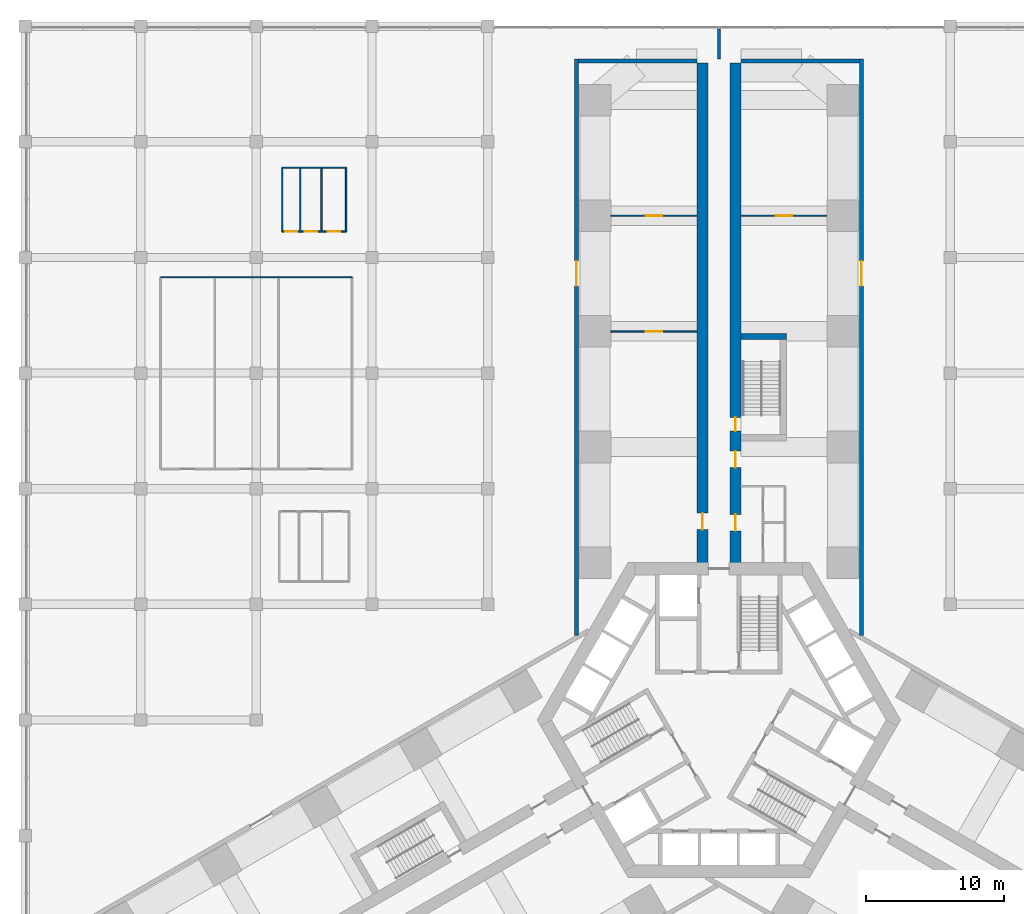
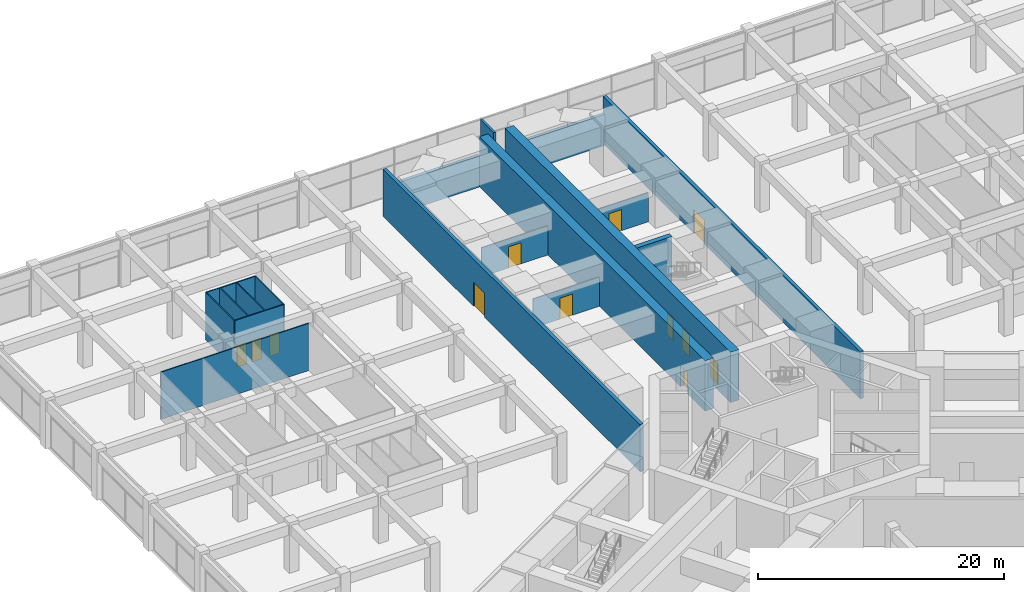
# One storey, part 32 of 36: 18 walls, 12 doors, 12 openings.
"""IFC4 building model written with IfcOpenShell, lengths in metres."""

from ifc_helpers import new_model, si_unit, direction, frame, frame_2d, origin, place, context, subcontext, project, spatial, rectangle, extrude, material, layer, layer_set, type_object, element, fill, save


model = new_model("IFC4")

# Units and contexts
model_context = context("Model", 3, precision=1e-05, world=origin(), true_north=direction((0.0, 1.0)))
body_context = subcontext(model_context, "Body", "Model", "MODEL_VIEW")
ifc_project = project(units=[si_unit("LENGTHUNIT", "METRE"), si_unit("AREAUNIT", "SQUARE_METRE"), si_unit("VOLUMEUNIT", "CUBIC_METRE"), si_unit("PLANEANGLEUNIT", "RADIAN"), si_unit("MASSUNIT", "GRAM", prefix="KILO")], contexts=[model_context])

# Site, building, storey
site_placement = place(None, origin())
site = spatial("IfcSite", under=ifc_project, at=site_placement, CompositionType="ELEMENT")
building_placement = place(site_placement, origin())
building = spatial("IfcBuilding", under=site, at=building_placement, Name="Impinga Residences", CompositionType="ELEMENT")
storey_placement = place(building_placement, frame((0.0, 0.0, 6.0)))
storey = spatial("IfcBuildingStorey", under=building, at=storey_placement, Name="L01", CompositionType="ELEMENT", Elevation=6.0)

# Wall, opening, door
ifc_material_1 = material(Name="Concrete C70/85", Category="concrete")
ifc_layer_1 = layer(ifc_material_1, 0.800048828125)
ifc_layer_set_1 = layer_set([ifc_layer_1], Name="Concrete C70/85")
wall_type_1 = type_object("IfcWallType", Name="BW0 corridor buttress wall, B3 to L04 800", PredefinedType="SHEAR", material=ifc_layer_set_1)
wall_1_placement = place(storey_placement, frame((-1.199951171875, 10.9814453125, 0.0), z_axis=(0.0, 0.0, 1.0), x_axis=(0.0, 1.0, 0.0)))
wall_1 = element("IfcWall", 1, at=wall_1_placement, inside=storey, type_object=wall_type_1, Name="Corridor wall BW0 NC L01", PredefinedType="SHEAR", context=body_context, shape_type="SweptSolid", body=[
    extrude(rectangle(XDim=36.75, YDim=0.800048828125, at=frame_2d((18.375, 0.0))), origin(), (0.0, 0.0, 1.0), 5.0),
])
opening_1_placement = place(wall_1_placement, frame((2.85009765625, 0.0, 0.0)))
opening_1 = element("IfcOpeningElement", 2, at=opening_1_placement, cuts=wall_1, Name="Opening D3", PredefinedType="OPENING", context=body_context, shape_type="SweptSolid", body=[
    extrude(rectangle(XDim=1.199951171875, YDim=2.10009765625, at=frame_2d((0.60009765625, 1.050048828125))), frame((0.0, 0.409912109375, 0.0), z_axis=(0.0, -1.0, 0.0), x_axis=(1.0, 0.0, 0.0)), (0.0, 0.0, 1.0), 0.820068359375),
])
ifc_material_2 = material(Name="Timber door set", Category="wood")
door_type_1 = type_object("IfcDoorType", Name="D3 room door, leaf and a half 1200x2100", OperationType="DOUBLE_SWING_LEFT", PredefinedType="DOOR", material=ifc_material_2)
door_1_placement = place(opening_1_placement, origin())
door_1 = element("IfcDoor", 3, at=door_1_placement, inside=storey, type_object=door_type_1, Name="Business centre door L01-NA1", OperationType="DOUBLE_SWING_LEFT", OverallHeight=2.10009765625, OverallWidth=1.199951171875, PredefinedType="DOOR", context=body_context, shape_type="SweptSolid", body=[
    extrude(rectangle(XDim=1.199951171875, YDim=2.10009765625, at=frame_2d((0.60009765625, 1.050048828125))), frame((0.0, 0.02490234375, 0.0), z_axis=(0.0, -1.0, 0.0), x_axis=(1.0, 0.0, 0.0)), (0.0, 0.0, 1.0), 0.050048828125),
])
fill(opening_1, door_1)

# Wall, openings, doors
wall_2_placement = place(storey_placement, frame((1.199951171875, 10.9814453125, 0.0), z_axis=(0.0, 0.0, 1.0), x_axis=(0.0, 1.0, 0.0)))
wall_2 = element("IfcWall", 4, at=wall_2_placement, inside=storey, type_object=wall_type_1, Name="Corridor wall BW0 ND L01", PredefinedType="SHEAR", context=body_context, shape_type="SweptSolid", body=[
    extrude(rectangle(XDim=36.75, YDim=0.800048828125, at=frame_2d((18.375, 0.0))), origin(), (0.0, 0.0, 1.0), 5.0),
])
opening_2_placement = place(wall_2_placement, frame((10.0, 0.0, 0.0)))
opening_2 = element("IfcOpeningElement", 5, at=opening_2_placement, cuts=wall_2, Name="Opening D5", PredefinedType="OPENING", context=body_context, shape_type="SweptSolid", body=[
    extrude(rectangle(XDim=1.0, YDim=2.10009765625, at=frame_2d((0.5, 1.050048828125))), frame((0.0, 0.409912109375, 0.0), z_axis=(0.0, -1.0, 0.0), x_axis=(1.0, 0.0, 0.0)), (0.0, 0.0, 1.0), 0.820068359375),
])
opening_3_placement = place(wall_2_placement, frame((2.75, 0.0, 0.0)))
opening_3 = element("IfcOpeningElement", 6, at=opening_3_placement, cuts=wall_2, Name="Opening D3", PredefinedType="OPENING", context=body_context, shape_type="SweptSolid", body=[
    extrude(rectangle(XDim=1.199951171875, YDim=2.10009765625, at=frame_2d((0.60009765625, 1.050048828125))), frame((0.0, 0.409912109375, 0.0), z_axis=(0.0, -1.0, 0.0), x_axis=(1.0, 0.0, 0.0)), (0.0, 0.0, 1.0), 0.820068359375),
])
opening_4_placement = place(wall_2_placement, frame((7.35009765625, 0.0, 0.0)))
opening_4 = element("IfcOpeningElement", 7, at=opening_4_placement, cuts=wall_2, Name="Opening D3", PredefinedType="OPENING", context=body_context, shape_type="SweptSolid", body=[
    extrude(rectangle(XDim=1.199951171875, YDim=2.10009765625, at=frame_2d((0.60009765625, 1.050048828125))), frame((0.0, 0.409912109375, 0.0), z_axis=(0.0, -1.0, 0.0), x_axis=(1.0, 0.0, 0.0)), (0.0, 0.0, 1.0), 0.820068359375),
])
door_2_placement = place(opening_3_placement, origin())
door_2 = element("IfcDoor", 8, at=door_2_placement, inside=storey, type_object=door_type_1, Name="WC lobby door L01-NF1", OperationType="DOUBLE_SWING_LEFT", OverallHeight=2.10009765625, OverallWidth=1.199951171875, PredefinedType="DOOR", context=body_context, shape_type="SweptSolid", body=[
    extrude(rectangle(XDim=1.199951171875, YDim=2.10009765625, at=frame_2d((0.60009765625, 1.050048828125))), frame((0.0, 0.02490234375, 0.0), z_axis=(0.0, -1.0, 0.0), x_axis=(1.0, 0.0, 0.0)), (0.0, 0.0, 1.0), 0.050048828125),
])
fill(opening_3, door_2)
door_3_placement = place(opening_4_placement, origin())
door_3 = element("IfcDoor", 9, at=door_3_placement, inside=storey, type_object=door_type_1, Name="Studio door L01-NF1", OperationType="DOUBLE_SWING_LEFT", OverallHeight=2.10009765625, OverallWidth=1.199951171875, PredefinedType="DOOR", context=body_context, shape_type="SweptSolid", body=[
    extrude(rectangle(XDim=1.199951171875, YDim=2.10009765625, at=frame_2d((0.60009765625, 1.050048828125))), frame((0.0, 0.02490234375, 0.0), z_axis=(0.0, -1.0, 0.0), x_axis=(1.0, 0.0, 0.0)), (0.0, 0.0, 1.0), 0.050048828125),
])
fill(opening_4, door_3)
door_type_2 = type_object("IfcDoorType", Name="D5 stair door 1000x2100", OperationType="SINGLE_SWING_LEFT", PredefinedType="DOOR", material=ifc_material_2)
door_4_placement = place(opening_2_placement, origin())
door_4 = element("IfcDoor", 10, at=door_4_placement, inside=storey, type_object=door_type_2, Name="Wing stair door N", OperationType="SINGLE_SWING_LEFT", OverallHeight=2.10009765625, OverallWidth=1.0, PredefinedType="DOOR", context=body_context, shape_type="SweptSolid", body=[
    extrude(rectangle(XDim=1.0, YDim=2.10009765625, at=frame_2d((0.5, 1.050048828125))), frame((0.0, 0.02490234375, 0.0), z_axis=(0.0, -1.0, 0.0), x_axis=(1.0, 0.0, 0.0)), (0.0, 0.0, 1.0), 0.050048828125),
])
fill(opening_2, door_4)

# Wall, opening, door
ifc_material_3 = material(Name="Concrete blockwork", Category="masonry")
ifc_layer_2 = layer(ifc_material_3, 0.10009765625)
ifc_layer_set_2 = layer_set([ifc_layer_2], Name="CP1 core room partition, blockwork 100")
wall_type_2 = type_object("IfcWallType", Name="CP1 core room partition, blockwork 100", PredefinedType="PARTITIONING", material=ifc_layer_set_2)
wall_3_placement = place(storey_placement, frame((-1.60009765625, 28.2314453125, 0.0), z_axis=(0.0, 0.0, 1.0), x_axis=(-1.0, 0.0, 0.0)))
wall_3 = element("IfcWall", 11, at=wall_3_placement, inside=storey, type_object=wall_type_2, Name="Core room partition, blockwork L01-NA1:PS1", PredefinedType="PARTITIONING", context=body_context, shape_type="SweptSolid", body=[
    extrude(rectangle(XDim=6.25, YDim=0.10009765625, at=frame_2d((3.125, 0.0))), origin(), (0.0, 0.0, 1.0), 2.89990234375),
])
opening_5_placement = place(wall_3_placement, frame((2.52490234375, 0.0, 0.0)))
opening_5 = element("IfcOpeningElement", 12, at=opening_5_placement, cuts=wall_3, Name="Opening D3", PredefinedType="OPENING", context=body_context, shape_type="SweptSolid", body=[
    extrude(rectangle(XDim=1.199951171875, YDim=2.10009765625, at=frame_2d((0.60009765625, 1.050048828125))), frame((0.0, 0.06005859375, 0.0), z_axis=(0.0, -1.0, 0.0), x_axis=(1.0, 0.0, 0.0)), (0.0, 0.0, 1.0), 0.1201171875),
])
door_5_placement = place(opening_5_placement, origin())
door_5 = element("IfcDoor", 13, at=door_5_placement, inside=storey, type_object=door_type_1, Name="Meeting room door L01-NA1", OperationType="DOUBLE_SWING_LEFT", OverallHeight=2.10009765625, OverallWidth=1.199951171875, PredefinedType="DOOR", context=body_context, shape_type="SweptSolid", body=[
    extrude(rectangle(XDim=1.199951171875, YDim=2.10009765625, at=frame_2d((0.60009765625, 1.050048828125))), frame((0.0, 0.02490234375, 0.0), z_axis=(0.0, -1.0, 0.0), x_axis=(1.0, 0.0, 0.0)), (0.0, 0.0, 1.0), 0.050048828125),
])
fill(opening_5, door_5)

wall_4_placement = place(storey_placement, frame((-1.60009765625, 36.631591796875, 0.0), z_axis=(0.0, 0.0, 1.0), x_axis=(-1.0, 0.0, 0.0)))
wall_4 = element("IfcWall", 14, at=wall_4_placement, inside=storey, type_object=wall_type_2, Name="Core room partition, blockwork L01-NA1:PS2", PredefinedType="PARTITIONING", context=body_context, shape_type="SweptSolid", body=[
    extrude(rectangle(XDim=6.25, YDim=0.10009765625, at=frame_2d((3.125, 0.0))), origin(), (0.0, 0.0, 1.0), 2.89990234375),
])
opening_6_placement = place(wall_4_placement, frame((2.52490234375, 0.0, 0.0)))
opening_6 = element("IfcOpeningElement", 15, at=opening_6_placement, cuts=wall_4, Name="Opening D3", PredefinedType="OPENING", context=body_context, shape_type="SweptSolid", body=[
    extrude(rectangle(XDim=1.199951171875, YDim=2.10009765625, at=frame_2d((0.60009765625, 1.050048828125))), frame((0.0, 0.06005859375, 0.0), z_axis=(0.0, -1.0, 0.0), x_axis=(1.0, 0.0, 0.0)), (0.0, 0.0, 1.0), 0.1201171875),
])
door_6_placement = place(opening_6_placement, origin())
door_6 = element("IfcDoor", 16, at=door_6_placement, inside=storey, type_object=door_type_1, Name="Print room door L01-NA1", OperationType="DOUBLE_SWING_LEFT", OverallHeight=2.10009765625, OverallWidth=1.199951171875, PredefinedType="DOOR", context=body_context, shape_type="SweptSolid", body=[
    extrude(rectangle(XDim=1.199951171875, YDim=2.10009765625, at=frame_2d((0.60009765625, 1.050048828125))), frame((0.0, 0.02490234375, 0.0), z_axis=(0.0, -1.0, 0.0), x_axis=(1.0, 0.0, 0.0)), (0.0, 0.0, 1.0), 0.050048828125),
])
fill(opening_6, door_6)

wall_5_placement = place(storey_placement, frame((1.60009765625, 36.631591796875, 0.0), z_axis=(0.0, 0.0, 1.0), x_axis=(1.0, 0.0, 0.0)))
wall_5 = element("IfcWall", 17, at=wall_5_placement, inside=storey, type_object=wall_type_2, Name="Core room partition, blockwork L01-NF1:PS1", PredefinedType="PARTITIONING", context=body_context, shape_type="SweptSolid", body=[
    extrude(rectangle(XDim=6.25, YDim=0.10009765625, at=frame_2d((3.125, 0.0))), origin(), (0.0, 0.0, 1.0), 2.89990234375),
])
opening_7_placement = place(wall_5_placement, frame((2.52490234375, 0.0, 0.0)))
opening_7 = element("IfcOpeningElement", 18, at=opening_7_placement, cuts=wall_5, Name="Opening D3", PredefinedType="OPENING", context=body_context, shape_type="SweptSolid", body=[
    extrude(rectangle(XDim=1.199951171875, YDim=2.10009765625, at=frame_2d((0.60009765625, 1.050048828125))), frame((0.0, 0.06005859375, 0.0), z_axis=(0.0, -1.0, 0.0), x_axis=(1.0, 0.0, 0.0)), (0.0, 0.0, 1.0), 0.1201171875),
])
door_7_placement = place(opening_7_placement, origin())
door_7 = element("IfcDoor", 19, at=door_7_placement, inside=storey, type_object=door_type_1, Name="Meeting room door L01-NF1", OperationType="DOUBLE_SWING_LEFT", OverallHeight=2.10009765625, OverallWidth=1.199951171875, PredefinedType="DOOR", context=body_context, shape_type="SweptSolid", body=[
    extrude(rectangle(XDim=1.199951171875, YDim=2.10009765625, at=frame_2d((0.60009765625, 1.050048828125))), frame((0.0, 0.02490234375, 0.0), z_axis=(0.0, -1.0, 0.0), x_axis=(1.0, 0.0, 0.0)), (0.0, 0.0, 1.0), 0.050048828125),
])
fill(opening_7, door_7)

# Wall
ifc_material_4 = material(Name="Gypsum board on steel studs", Category="steel")
ifc_layer_3 = layer(ifc_material_4, 0.10009765625)
ifc_layer_set_3 = layer_set([ifc_layer_3], Name="Gypsum board on steel studs")
wall_type_3 = type_object("IfcWallType", Name="IP1 partition 100", PredefinedType="PARTITIONING", material=ifc_layer_set_3)
wall_6_placement = place(storey_placement, frame((-26.639892578125, 32.159912109375, 0.0), z_axis=(0.0, 0.0, 1.0), x_axis=(-1.0, 0.0, 0.0)))
element("IfcWall", 20, at=wall_6_placement, inside=storey, type_object=wall_type_3, Name="Partition L01:REG:NW:BLKN", PredefinedType="PARTITIONING", context=body_context, shape_type="SweptSolid", body=[
    extrude(rectangle(XDim=13.920166015625, YDim=0.10009765625, at=frame_2d((6.9599609375, 0.0))), origin(), (0.0, 0.0, 1.0), 4.699951171875),
])

# Wall, openings, doors
wall_7_placement = place(storey_placement, frame((-31.719970703125, 35.47998046875, 0.0), z_axis=(0.0, 0.0, 1.0), x_axis=(1.0, 0.0, 0.0)))
wall_7 = element("IfcWall", 21, at=wall_7_placement, inside=storey, type_object=wall_type_3, Name="Partition L01:REG:NW:B3:BLKS", PredefinedType="PARTITIONING", context=body_context, shape_type="SweptSolid", body=[
    extrude(rectangle(XDim=4.639892578125, YDim=0.10009765625, at=frame_2d((2.31982421875, 0.0))), origin(), (0.0, 0.0, 1.0), 4.699951171875),
])
opening_8_placement = place(wall_7_placement, frame((0.205322265625, 0.0, 0.0)))
opening_8 = element("IfcOpeningElement", 22, at=opening_8_placement, cuts=wall_7, Name="Opening D2", PredefinedType="OPENING", context=body_context, shape_type="SweptSolid", body=[
    extrude(rectangle(XDim=0.89990234375, YDim=2.10009765625, at=frame_2d((0.449951171875, 1.050048828125))), frame((0.0, 0.06005859375, 0.0), z_axis=(0.0, -1.0, 0.0), x_axis=(1.0, 0.0, 0.0)), (0.0, 0.0, 1.0), 0.1201171875),
])
opening_9_placement = place(wall_7_placement, frame((1.634033203125, 0.0, 0.0)))
opening_9 = element("IfcOpeningElement", 23, at=opening_9_placement, cuts=wall_7, Name="Opening D2", PredefinedType="OPENING", context=body_context, shape_type="SweptSolid", body=[
    extrude(rectangle(XDim=0.89990234375, YDim=2.10009765625, at=frame_2d((0.449951171875, 1.050048828125))), frame((0.0, 0.06005859375, 0.0), z_axis=(0.0, -1.0, 0.0), x_axis=(1.0, 0.0, 0.0)), (0.0, 0.0, 1.0), 0.1201171875),
])
opening_10_placement = place(wall_7_placement, frame((3.298583984375, 0.0, 0.0)))
opening_10 = element("IfcOpeningElement", 24, at=opening_10_placement, cuts=wall_7, Name="Opening D2", PredefinedType="OPENING", context=body_context, shape_type="SweptSolid", body=[
    extrude(rectangle(XDim=0.89990234375, YDim=2.10009765625, at=frame_2d((0.449951171875, 1.050048828125))), frame((0.0, 0.06005859375, 0.0), z_axis=(0.0, -1.0, 0.0), x_axis=(1.0, 0.0, 0.0)), (0.0, 0.0, 1.0), 0.1201171875),
])
door_type_3 = type_object("IfcDoorType", Name="D2 internal door 900x2100", OperationType="SINGLE_SWING_LEFT", PredefinedType="DOOR", material=ifc_material_2)
door_8_placement = place(opening_8_placement, origin())
door_8 = element("IfcDoor", 25, at=door_8_placement, inside=storey, type_object=door_type_3, Name="Children's WC door", OperationType="SINGLE_SWING_LEFT", OverallHeight=2.10009765625, OverallWidth=0.89990234375, PredefinedType="DOOR", context=body_context, shape_type="SweptSolid", body=[
    extrude(rectangle(XDim=0.89990234375, YDim=2.10009765625, at=frame_2d((0.449951171875, 1.050048828125))), frame((0.0, 0.02490234375, 0.0), z_axis=(0.0, -1.0, 0.0), x_axis=(1.0, 0.0, 0.0)), (0.0, 0.0, 1.0), 0.050048828125),
])
fill(opening_8, door_8)
door_9_placement = place(opening_9_placement, origin())
door_9 = element("IfcDoor", 26, at=door_9_placement, inside=storey, type_object=door_type_3, Name="Children's WC door", OperationType="SINGLE_SWING_LEFT", OverallHeight=2.10009765625, OverallWidth=0.89990234375, PredefinedType="DOOR", context=body_context, shape_type="SweptSolid", body=[
    extrude(rectangle(XDim=0.89990234375, YDim=2.10009765625, at=frame_2d((0.449951171875, 1.050048828125))), frame((0.0, 0.02490234375, 0.0), z_axis=(0.0, -1.0, 0.0), x_axis=(1.0, 0.0, 0.0)), (0.0, 0.0, 1.0), 0.050048828125),
])
fill(opening_9, door_9)
door_10_placement = place(opening_10_placement, origin())
door_10 = element("IfcDoor", 27, at=door_10_placement, inside=storey, type_object=door_type_3, Name="Accessible WC door", OperationType="SINGLE_SWING_RIGHT", OverallHeight=2.10009765625, OverallWidth=0.89990234375, PredefinedType="DOOR", context=body_context, shape_type="SweptSolid", body=[
    extrude(rectangle(XDim=0.89990234375, YDim=2.10009765625, at=frame_2d((0.449951171875, 1.050048828125))), frame((0.0, 0.02490234375, 0.0), z_axis=(0.0, -1.0, 0.0), x_axis=(1.0, 0.0, 0.0)), (0.0, 0.0, 1.0), 0.050048828125),
])
fill(opening_10, door_10)

# Walls
wall_8_placement = place(storey_placement, frame((-27.080078125, 35.47998046875, 0.0), z_axis=(0.0, 0.0, 1.0), x_axis=(0.0, 1.0, 0.0)))
element("IfcWall", 28, at=wall_8_placement, inside=storey, type_object=wall_type_3, Name="Partition L01:REG:NW:B3:BLKE", PredefinedType="PARTITIONING", context=body_context, shape_type="SweptSolid", body=[
    extrude(rectangle(XDim=4.64013671875, YDim=0.10009765625, at=frame_2d((2.320068359375, 0.0))), origin(), (0.0, 0.0, 1.0), 4.699951171875),
])
wall_9_placement = place(storey_placement, frame((-27.080078125, 40.1201171875, 0.0), z_axis=(0.0, 0.0, 1.0), x_axis=(-1.0, 0.0, 0.0)))
element("IfcWall", 29, at=wall_9_placement, inside=storey, type_object=wall_type_3, Name="Partition L01:REG:NW:B3:BLKN", PredefinedType="PARTITIONING", context=body_context, shape_type="SweptSolid", body=[
    extrude(rectangle(XDim=4.639892578125, YDim=0.10009765625, at=frame_2d((2.31982421875, 0.0))), origin(), (0.0, 0.0, 1.0), 4.699951171875),
])
for number, where, z_axis, x_axis, name in (
    (30, (-31.719970703125, 40.1201171875, 0.0), (0.0, 0.0, 1.0), (0.0, -1.0, 0.0), "Partition L01:REG:NW:B3:BLKW"),
    (31, (-30.4091796875, 35.47998046875, 0.0), (0.0, 0.0, 1.0), (0.0, 1.0, 0.0), "Partition L01:REG:NW:B3:BLKP1"),
    (32, (-28.862548828125, 35.47998046875, 0.0), (0.0, 0.0, 1.0), (0.0, 1.0, 0.0), "Partition L01:REG:NW:B3:BLKP2"),
):
    element("IfcWall", number, at=place(storey_placement, frame(where, z_axis=z_axis, x_axis=x_axis)), inside=storey, type_object=wall_type_3, Name=name, PredefinedType="PARTITIONING", context=body_context, shape_type="SweptSolid", body=[
        extrude(rectangle(XDim=4.64013671875, YDim=0.10009765625, at=frame_2d((2.320068359375, 0.0))), origin(), (0.0, 0.0, 1.0), 4.699951171875),
    ])
ifc_layer_4 = layer(ifc_material_3, 0.199951171875)
ifc_layer_set_4 = layer_set([ifc_layer_4], Name="PW2 podium compartment wall 200")
wall_type_4 = type_object("IfcWallType", Name="PW2 podium compartment wall 200", PredefinedType="SOLIDWALL", material=ifc_layer_set_4)
wall_10_placement = place(storey_placement, frame((0.0, 48.031494140625, 0.0), z_axis=(0.0, 0.0, 1.0), x_axis=(0.0, 1.0, 0.0)))
element("IfcWall", 33, at=wall_10_placement, inside=storey, type_object=wall_type_4, Name="Podium compartment wall L01:REG:N", PredefinedType="SOLIDWALL", context=body_context, shape_type="SweptSolid", body=[
    extrude(rectangle(XDim=2.175537109375, YDim=0.199951171875, at=frame_2d((1.087890625, 0.0))), origin(), (0.0, 0.0, 1.0), 4.699951171875),
])
ifc_layer_5 = layer(ifc_material_3, 0.300048828125)
ifc_layer_set_5 = layer_set([ifc_layer_5], Name="PW3 podium wall on the wing face 300")
wall_type_5 = type_object("IfcWallType", Name="PW3 podium wall on the wing face 300", PredefinedType="SOLIDWALL", material=ifc_layer_set_5)
for number, where, z_axis, x_axis, name in (
    (34, (-1.60009765625, 47.881591796875, 0.0), (0.0, 0.0, 1.0), (-1.0, 0.0, 0.0), "Podium wall on the wing face L01:END:NA"),
    (35, (1.60009765625, 47.881591796875, 0.0), (0.0, 0.0, 1.0), (1.0, 0.0, 0.0), "Podium wall on the wing face L01:END:NF"),
):
    element("IfcWall", number, at=place(storey_placement, frame(where, z_axis=z_axis, x_axis=x_axis)), inside=storey, type_object=wall_type_5, Name=name, PredefinedType="SOLIDWALL", context=body_context, shape_type="SweptSolid", body=[
        extrude(rectangle(XDim=8.599853515625, YDim=0.300048828125, at=frame_2d((4.2998046875, 0.0))), origin(), (0.0, 0.0, 1.0), 3.10009765625),
    ])

# Wall, opening, door
wall_11_placement = place(storey_placement, frame((-10.35009765625, 6.148681640625, 0.0), z_axis=(0.0, 0.0, 1.0), x_axis=(0.0, 1.0, 0.0)))
wall_11 = element("IfcWall", 36, at=wall_11_placement, inside=storey, type_object=wall_type_5, Name="Podium wall on the wing face L01:SIDE:NA0", PredefinedType="SOLIDWALL", context=body_context, shape_type="SweptSolid", body=[
    extrude(rectangle(XDim=41.8828125, YDim=0.300048828125, at=frame_2d((20.94140625, 0.0))), origin(), (0.0, 0.0, 1.0), 4.699951171875),
])
opening_11_placement = place(wall_11_placement, frame((25.3828125, 0.0, 0.0)))
opening_11 = element("IfcOpeningElement", 37, at=opening_11_placement, cuts=wall_11, Name="Opening D7", PredefinedType="OPENING", context=body_context, shape_type="SweptSolid", body=[
    extrude(rectangle(XDim=1.800048828125, YDim=2.39990234375, at=frame_2d((0.89990234375, 1.199951171875))), frame((0.0, 0.159912109375, 0.0), z_axis=(0.0, -1.0, 0.0), x_axis=(1.0, 0.0, 0.0)), (0.0, 0.0, 1.0), 0.320068359375),
])
door_type_4 = type_object("IfcDoorType", Name="D7 podium door pair 1800x2400", OperationType="DOUBLE_DOOR_DOUBLE_SWING", PredefinedType="DOOR", material=ifc_material_2)
door_11_placement = place(opening_11_placement, origin())
door_11 = element("IfcDoor", 38, at=door_11_placement, inside=storey, type_object=door_type_4, Name="Double door NA", OperationType="DOUBLE_DOOR_DOUBLE_SWING", OverallHeight=2.39990234375, OverallWidth=1.800048828125, PredefinedType="DOOR", context=body_context, shape_type="SweptSolid", body=[
    extrude(rectangle(XDim=1.800048828125, YDim=2.39990234375, at=frame_2d((0.89990234375, 1.199951171875))), frame((0.0, 0.02490234375, 0.0), z_axis=(0.0, -1.0, 0.0), x_axis=(1.0, 0.0, 0.0)), (0.0, 0.0, 1.0), 0.050048828125),
])
fill(opening_11, door_11)

wall_12_placement = place(storey_placement, frame((10.35009765625, 6.148681640625, 0.0), z_axis=(0.0, 0.0, 1.0), x_axis=(0.0, 1.0, 0.0)))
wall_12 = element("IfcWall", 39, at=wall_12_placement, inside=storey, type_object=wall_type_5, Name="Podium wall on the wing face L01:SIDE:NF0", PredefinedType="SOLIDWALL", context=body_context, shape_type="SweptSolid", body=[
    extrude(rectangle(XDim=41.8828125, YDim=0.300048828125, at=frame_2d((20.94140625, 0.0))), origin(), (0.0, 0.0, 1.0), 4.699951171875),
])
opening_12_placement = place(wall_12_placement, frame((25.3828125, 0.0, 0.0)))
opening_12 = element("IfcOpeningElement", 40, at=opening_12_placement, cuts=wall_12, Name="Opening D7", PredefinedType="OPENING", context=body_context, shape_type="SweptSolid", body=[
    extrude(rectangle(XDim=1.800048828125, YDim=2.39990234375, at=frame_2d((0.89990234375, 1.199951171875))), frame((0.0, 0.159912109375, 0.0), z_axis=(0.0, -1.0, 0.0), x_axis=(1.0, 0.0, 0.0)), (0.0, 0.0, 1.0), 0.320068359375),
])
door_12_placement = place(opening_12_placement, origin())
door_12 = element("IfcDoor", 41, at=door_12_placement, inside=storey, type_object=door_type_4, Name="Double door NF", OperationType="DOUBLE_DOOR_DOUBLE_SWING", OverallHeight=2.39990234375, OverallWidth=1.800048828125, PredefinedType="DOOR", context=body_context, shape_type="SweptSolid", body=[
    extrude(rectangle(XDim=1.800048828125, YDim=2.39990234375, at=frame_2d((0.89990234375, 1.199951171875))), frame((0.0, 0.02490234375, 0.0), z_axis=(0.0, -1.0, 0.0), x_axis=(1.0, 0.0, 0.0)), (0.0, 0.0, 1.0), 0.050048828125),
])
fill(opening_12, door_12)

# Wall
ifc_material_5 = material(Name="Concrete C60/75", Category="concrete")
ifc_layer_6 = layer(ifc_material_5, 0.449951171875)
ifc_layer_set_6 = layer_set([ifc_layer_6], Name="Concrete C60/75")
wall_type_6 = type_object("IfcWallType", Name="SE2 wing stair enclosure wall, ground and podium storeys 450", PredefinedType="SOLIDWALL", material=ifc_layer_set_6)
wall_13_placement = place(storey_placement, frame((1.60009765625, 27.8564453125, 0.0), z_axis=(0.0, 0.0, 1.0), x_axis=(1.0, 0.0, 0.0)))
element("IfcWall", 42, at=wall_13_placement, inside=storey, type_object=wall_type_6, Name="Stair enclosure wall SE2 N END1 L01", PredefinedType="SOLIDWALL", context=body_context, shape_type="SweptSolid", body=[
    extrude(rectangle(XDim=3.2998046875, YDim=0.449951171875, at=frame_2d((1.64990234375, 0.0))), origin(), (0.0, 0.0, 1.0), 5.0),
])

save(model, "model.ifc")
